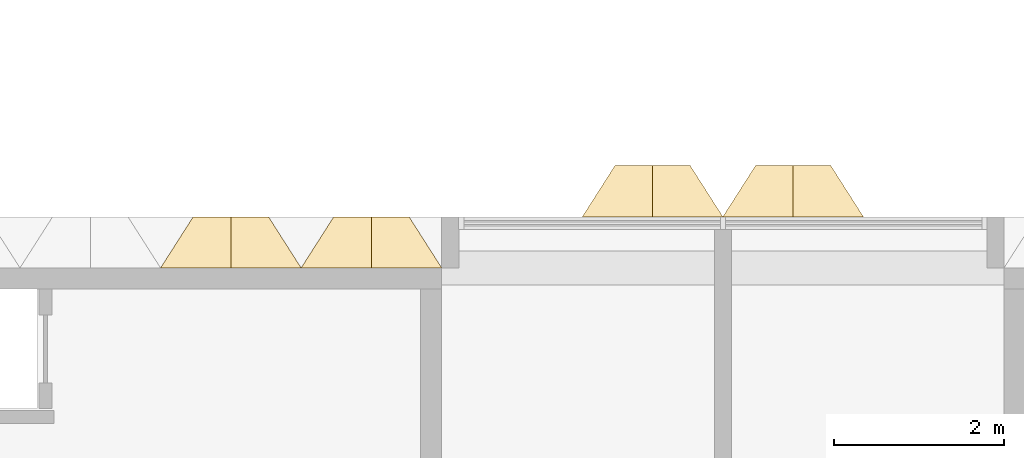
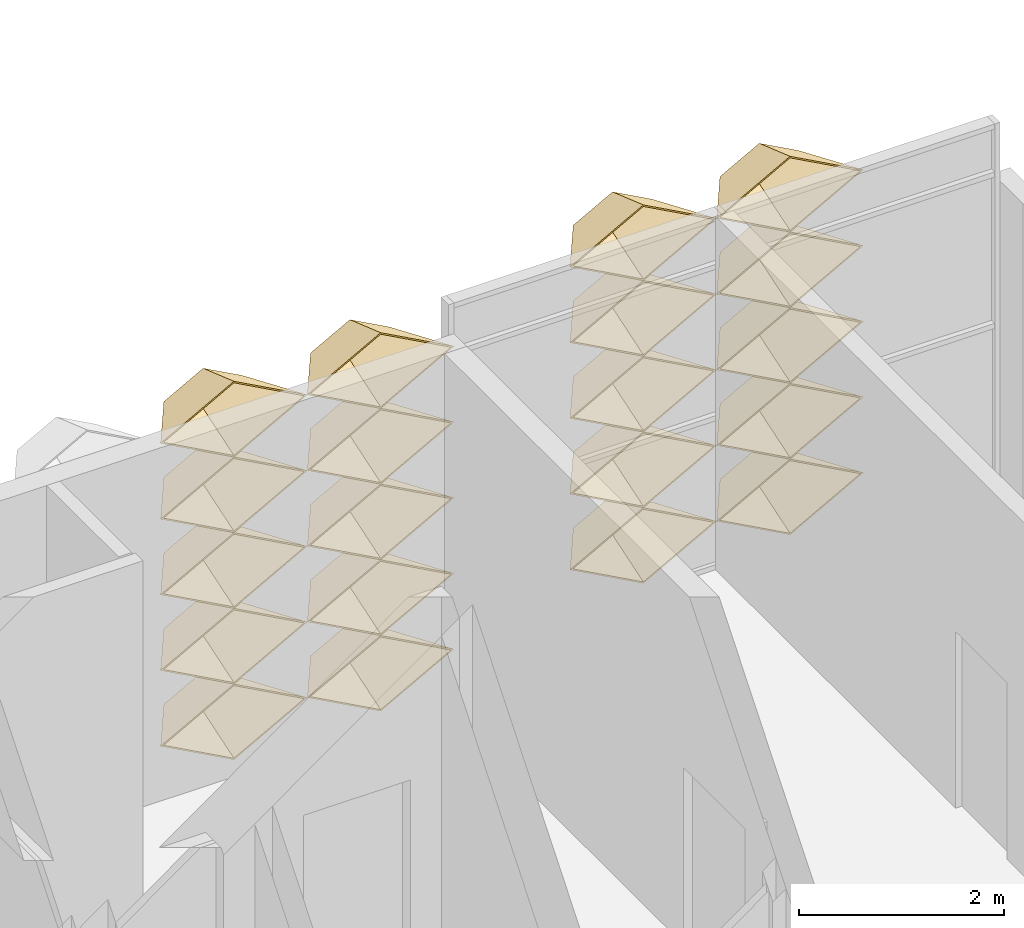
# One storey, part 51 of 87: 20 coverings.
"""IFC4 building model written with IfcOpenShell, lengths in metres."""

from ifc_helpers import new_model, entity, si_unit, direction, frame, origin, place, context, subcontext, project, spatial, material, layer, layer_set, type_object, element, save


model = new_model("IFC4")

# Units and contexts
model_context = context("Model", 3, precision=1e-05, world=origin(), true_north=direction((0.0, 1.0)))
body_context = subcontext(model_context, "Body", "Model", "MODEL_VIEW")
ifc_project = project(units=[si_unit("LENGTHUNIT", "METRE"), si_unit("AREAUNIT", "SQUARE_METRE"), si_unit("VOLUMEUNIT", "CUBIC_METRE"), si_unit("PLANEANGLEUNIT", "RADIAN"), si_unit("MASSUNIT", "GRAM", prefix="KILO")], contexts=[model_context])

# Site, building, storey
site_placement = place(None, origin())
site = spatial("IfcSite", under=ifc_project, at=site_placement, CompositionType="ELEMENT")
building_placement = place(site_placement, origin())
building = spatial("IfcBuilding", under=site, at=building_placement, Name="Lantern Court Research Institute", CompositionType="ELEMENT")
storey_placement = place(building_placement, frame((0.0, 0.0, 5.39990234375)))
storey = spatial("IfcBuildingStorey", under=building, at=storey_placement, Name="L01", CompositionType="ELEMENT", Elevation=5.39990234375)

# Coverings
ifc_material = material(Name="Anodised aluminium", Category="aluminium")
ifc_layer = layer(ifc_material, 0.01611328125)
ifc_layer_set = layer_set([ifc_layer], Name="Anodised aluminium")
covering_type = type_object("IfcCoveringType", Name="Fin cassette 1650 x 900 x 600 aluminium", PredefinedType="CLADDING", material=ifc_layer_set)
covering_1_placement = place(storey_placement, frame((23.925048828125, 23.10009765625, 0.4501953125), z_axis=(0.0, 1.0, 0.0), x_axis=(-1.0, 0.0, 0.0)))
cartesian_point_1 = entity("IfcCartesianPoint", [0.824951171875, 0.0])
cartesian_point_2 = entity("IfcCartesianPoint", [0.79150390625, 0.0])
cartesian_point_3 = entity("IfcCartesianPoint", [0.44189453125, 0.0])
cartesian_point_4 = entity("IfcCartesianPoint", [0.43359375, 0.0])
element("IfcCovering", 1, at=covering_1_placement, inside=storey, type_object=covering_type, Name="Fin cassette V4N-L01 1.15", PredefinedType="CLADDING", context=body_context, shape_type="SweptSolid", body=[
    entity("IfcExtrudedAreaSolidTapered", entity("IfcArbitraryProfileDefWithVoids", "AREA", None, entity("IfcPolyline", [cartesian_point_1, entity("IfcCartesianPoint", [0.0, 0.449951171875]), entity("IfcCartesianPoint", [-0.824951171875, 0.0]), entity("IfcCartesianPoint", [0.0, -0.449951171875]), cartesian_point_1]), [entity("IfcPolyline", [cartesian_point_2, entity("IfcCartesianPoint", [0.0, 0.431884765625]), entity("IfcCartesianPoint", [-0.79150390625, 0.0]), entity("IfcCartesianPoint", [0.0, -0.431884765625]), cartesian_point_2])]), entity("IfcAxis2Placement3D", entity("IfcCartesianPoint", [0.0, 0.0, 0.0])), entity("IfcDirection", [0.0, 0.0, 1.0]), 0.60009765625, entity("IfcArbitraryProfileDefWithVoids", "AREA", None, entity("IfcPolyline", [cartesian_point_3, entity("IfcCartesianPoint", [0.0, 0.240966796875]), entity("IfcCartesianPoint", [-0.44189453125, 0.0]), entity("IfcCartesianPoint", [0.0, -0.240966796875]), cartesian_point_3]), [entity("IfcPolyline", [cartesian_point_4, entity("IfcCartesianPoint", [0.0, 0.236572265625]), entity("IfcCartesianPoint", [-0.43359375, 0.0]), entity("IfcCartesianPoint", [0.0, -0.236572265625]), cartesian_point_4])])),
])
covering_2_placement = place(storey_placement, frame((25.574951171875, 23.10009765625, 0.4501953125), z_axis=(0.0, 1.0, 0.0), x_axis=(-1.0, 0.0, 0.0)))
cartesian_point_5 = entity("IfcCartesianPoint", [0.824951171875, 0.0])
cartesian_point_6 = entity("IfcCartesianPoint", [0.79150390625, 0.0])
cartesian_point_7 = entity("IfcCartesianPoint", [0.44189453125, 0.0])
cartesian_point_8 = entity("IfcCartesianPoint", [0.43359375, 0.0])
element("IfcCovering", 2, at=covering_2_placement, inside=storey, type_object=covering_type, Name="Fin cassette V4N-L01 1.16", PredefinedType="CLADDING", context=body_context, shape_type="SweptSolid", body=[
    entity("IfcExtrudedAreaSolidTapered", entity("IfcArbitraryProfileDefWithVoids", "AREA", None, entity("IfcPolyline", [cartesian_point_5, entity("IfcCartesianPoint", [0.0, 0.449951171875]), entity("IfcCartesianPoint", [-0.824951171875, 0.0]), entity("IfcCartesianPoint", [0.0, -0.449951171875]), cartesian_point_5]), [entity("IfcPolyline", [cartesian_point_6, entity("IfcCartesianPoint", [0.0, 0.431884765625]), entity("IfcCartesianPoint", [-0.79150390625, 0.0]), entity("IfcCartesianPoint", [0.0, -0.431884765625]), cartesian_point_6])]), entity("IfcAxis2Placement3D", entity("IfcCartesianPoint", [0.0, 0.0, 0.0])), entity("IfcDirection", [0.0, 0.0, 1.0]), 0.60009765625, entity("IfcArbitraryProfileDefWithVoids", "AREA", None, entity("IfcPolyline", [cartesian_point_7, entity("IfcCartesianPoint", [0.0, 0.240966796875]), entity("IfcCartesianPoint", [-0.44189453125, 0.0]), entity("IfcCartesianPoint", [0.0, -0.240966796875]), cartesian_point_7]), [entity("IfcPolyline", [cartesian_point_8, entity("IfcCartesianPoint", [0.0, 0.236572265625]), entity("IfcCartesianPoint", [-0.43359375, 0.0]), entity("IfcCartesianPoint", [0.0, -0.236572265625]), cartesian_point_8])])),
])
covering_3_placement = place(storey_placement, frame((23.925048828125, 23.10009765625, 1.35009765625), z_axis=(0.0, 1.0, 0.0), x_axis=(-1.0, 0.0, 0.0)))
cartesian_point_9 = entity("IfcCartesianPoint", [0.824951171875, 0.0])
cartesian_point_10 = entity("IfcCartesianPoint", [0.79150390625, 0.0])
cartesian_point_11 = entity("IfcCartesianPoint", [0.44189453125, 0.0])
cartesian_point_12 = entity("IfcCartesianPoint", [0.43359375, 0.0])
element("IfcCovering", 3, at=covering_3_placement, inside=storey, type_object=covering_type, Name="Fin cassette V4N-L01 2.15", PredefinedType="CLADDING", context=body_context, shape_type="SweptSolid", body=[
    entity("IfcExtrudedAreaSolidTapered", entity("IfcArbitraryProfileDefWithVoids", "AREA", None, entity("IfcPolyline", [cartesian_point_9, entity("IfcCartesianPoint", [0.0, 0.449951171875]), entity("IfcCartesianPoint", [-0.824951171875, 0.0]), entity("IfcCartesianPoint", [0.0, -0.449951171875]), cartesian_point_9]), [entity("IfcPolyline", [cartesian_point_10, entity("IfcCartesianPoint", [0.0, 0.431884765625]), entity("IfcCartesianPoint", [-0.79150390625, 0.0]), entity("IfcCartesianPoint", [0.0, -0.431884765625]), cartesian_point_10])]), entity("IfcAxis2Placement3D", entity("IfcCartesianPoint", [0.0, 0.0, 0.0])), entity("IfcDirection", [0.0, 0.0, 1.0]), 0.60009765625, entity("IfcArbitraryProfileDefWithVoids", "AREA", None, entity("IfcPolyline", [cartesian_point_11, entity("IfcCartesianPoint", [0.0, 0.240966796875]), entity("IfcCartesianPoint", [-0.44189453125, 0.0]), entity("IfcCartesianPoint", [0.0, -0.240966796875]), cartesian_point_11]), [entity("IfcPolyline", [cartesian_point_12, entity("IfcCartesianPoint", [0.0, 0.236572265625]), entity("IfcCartesianPoint", [-0.43359375, 0.0]), entity("IfcCartesianPoint", [0.0, -0.236572265625]), cartesian_point_12])])),
])
covering_4_placement = place(storey_placement, frame((25.574951171875, 23.10009765625, 1.35009765625), z_axis=(0.0, 1.0, 0.0), x_axis=(-1.0, 0.0, 0.0)))
cartesian_point_13 = entity("IfcCartesianPoint", [0.824951171875, 0.0])
cartesian_point_14 = entity("IfcCartesianPoint", [0.79150390625, 0.0])
cartesian_point_15 = entity("IfcCartesianPoint", [0.44189453125, 0.0])
cartesian_point_16 = entity("IfcCartesianPoint", [0.43359375, 0.0])
element("IfcCovering", 4, at=covering_4_placement, inside=storey, type_object=covering_type, Name="Fin cassette V4N-L01 2.16", PredefinedType="CLADDING", context=body_context, shape_type="SweptSolid", body=[
    entity("IfcExtrudedAreaSolidTapered", entity("IfcArbitraryProfileDefWithVoids", "AREA", None, entity("IfcPolyline", [cartesian_point_13, entity("IfcCartesianPoint", [0.0, 0.449951171875]), entity("IfcCartesianPoint", [-0.824951171875, 0.0]), entity("IfcCartesianPoint", [0.0, -0.449951171875]), cartesian_point_13]), [entity("IfcPolyline", [cartesian_point_14, entity("IfcCartesianPoint", [0.0, 0.431884765625]), entity("IfcCartesianPoint", [-0.79150390625, 0.0]), entity("IfcCartesianPoint", [0.0, -0.431884765625]), cartesian_point_14])]), entity("IfcAxis2Placement3D", entity("IfcCartesianPoint", [0.0, 0.0, 0.0])), entity("IfcDirection", [0.0, 0.0, 1.0]), 0.60009765625, entity("IfcArbitraryProfileDefWithVoids", "AREA", None, entity("IfcPolyline", [cartesian_point_15, entity("IfcCartesianPoint", [0.0, 0.240966796875]), entity("IfcCartesianPoint", [-0.44189453125, 0.0]), entity("IfcCartesianPoint", [0.0, -0.240966796875]), cartesian_point_15]), [entity("IfcPolyline", [cartesian_point_16, entity("IfcCartesianPoint", [0.0, 0.236572265625]), entity("IfcCartesianPoint", [-0.43359375, 0.0]), entity("IfcCartesianPoint", [0.0, -0.236572265625]), cartesian_point_16])])),
])
covering_5_placement = place(storey_placement, frame((23.925048828125, 23.10009765625, 2.25), z_axis=(0.0, 1.0, 0.0), x_axis=(-1.0, 0.0, 0.0)))
cartesian_point_17 = entity("IfcCartesianPoint", [0.824951171875, 0.0])
cartesian_point_18 = entity("IfcCartesianPoint", [0.79150390625, 0.0])
cartesian_point_19 = entity("IfcCartesianPoint", [0.44189453125, 0.0])
cartesian_point_20 = entity("IfcCartesianPoint", [0.43359375, 0.0])
element("IfcCovering", 5, at=covering_5_placement, inside=storey, type_object=covering_type, Name="Fin cassette V4N-L01 3.15", PredefinedType="CLADDING", context=body_context, shape_type="SweptSolid", body=[
    entity("IfcExtrudedAreaSolidTapered", entity("IfcArbitraryProfileDefWithVoids", "AREA", None, entity("IfcPolyline", [cartesian_point_17, entity("IfcCartesianPoint", [0.0, 0.449951171875]), entity("IfcCartesianPoint", [-0.824951171875, 0.0]), entity("IfcCartesianPoint", [0.0, -0.449951171875]), cartesian_point_17]), [entity("IfcPolyline", [cartesian_point_18, entity("IfcCartesianPoint", [0.0, 0.431884765625]), entity("IfcCartesianPoint", [-0.79150390625, 0.0]), entity("IfcCartesianPoint", [0.0, -0.431884765625]), cartesian_point_18])]), entity("IfcAxis2Placement3D", entity("IfcCartesianPoint", [0.0, 0.0, 0.0])), entity("IfcDirection", [0.0, 0.0, 1.0]), 0.60009765625, entity("IfcArbitraryProfileDefWithVoids", "AREA", None, entity("IfcPolyline", [cartesian_point_19, entity("IfcCartesianPoint", [0.0, 0.240966796875]), entity("IfcCartesianPoint", [-0.44189453125, 0.0]), entity("IfcCartesianPoint", [0.0, -0.240966796875]), cartesian_point_19]), [entity("IfcPolyline", [cartesian_point_20, entity("IfcCartesianPoint", [0.0, 0.236572265625]), entity("IfcCartesianPoint", [-0.43359375, 0.0]), entity("IfcCartesianPoint", [0.0, -0.236572265625]), cartesian_point_20])])),
])
covering_6_placement = place(storey_placement, frame((25.574951171875, 23.10009765625, 2.25), z_axis=(0.0, 1.0, 0.0), x_axis=(-1.0, 0.0, 0.0)))
cartesian_point_21 = entity("IfcCartesianPoint", [0.824951171875, 0.0])
cartesian_point_22 = entity("IfcCartesianPoint", [0.79150390625, 0.0])
cartesian_point_23 = entity("IfcCartesianPoint", [0.44189453125, 0.0])
cartesian_point_24 = entity("IfcCartesianPoint", [0.43359375, 0.0])
element("IfcCovering", 6, at=covering_6_placement, inside=storey, type_object=covering_type, Name="Fin cassette V4N-L01 3.16", PredefinedType="CLADDING", context=body_context, shape_type="SweptSolid", body=[
    entity("IfcExtrudedAreaSolidTapered", entity("IfcArbitraryProfileDefWithVoids", "AREA", None, entity("IfcPolyline", [cartesian_point_21, entity("IfcCartesianPoint", [0.0, 0.449951171875]), entity("IfcCartesianPoint", [-0.824951171875, 0.0]), entity("IfcCartesianPoint", [0.0, -0.449951171875]), cartesian_point_21]), [entity("IfcPolyline", [cartesian_point_22, entity("IfcCartesianPoint", [0.0, 0.431884765625]), entity("IfcCartesianPoint", [-0.79150390625, 0.0]), entity("IfcCartesianPoint", [0.0, -0.431884765625]), cartesian_point_22])]), entity("IfcAxis2Placement3D", entity("IfcCartesianPoint", [0.0, 0.0, 0.0])), entity("IfcDirection", [0.0, 0.0, 1.0]), 0.60009765625, entity("IfcArbitraryProfileDefWithVoids", "AREA", None, entity("IfcPolyline", [cartesian_point_23, entity("IfcCartesianPoint", [0.0, 0.240966796875]), entity("IfcCartesianPoint", [-0.44189453125, 0.0]), entity("IfcCartesianPoint", [0.0, -0.240966796875]), cartesian_point_23]), [entity("IfcPolyline", [cartesian_point_24, entity("IfcCartesianPoint", [0.0, 0.236572265625]), entity("IfcCartesianPoint", [-0.43359375, 0.0]), entity("IfcCartesianPoint", [0.0, -0.236572265625]), cartesian_point_24])])),
])
covering_7_placement = place(storey_placement, frame((23.925048828125, 23.10009765625, 3.150146484375), z_axis=(0.0, 1.0, 0.0), x_axis=(-1.0, 0.0, 0.0)))
cartesian_point_25 = entity("IfcCartesianPoint", [0.824951171875, 0.0])
cartesian_point_26 = entity("IfcCartesianPoint", [0.79150390625, 0.0])
cartesian_point_27 = entity("IfcCartesianPoint", [0.44189453125, 0.0])
cartesian_point_28 = entity("IfcCartesianPoint", [0.43359375, 0.0])
element("IfcCovering", 7, at=covering_7_placement, inside=storey, type_object=covering_type, Name="Fin cassette V4N-L01 4.15", PredefinedType="CLADDING", context=body_context, shape_type="SweptSolid", body=[
    entity("IfcExtrudedAreaSolidTapered", entity("IfcArbitraryProfileDefWithVoids", "AREA", None, entity("IfcPolyline", [cartesian_point_25, entity("IfcCartesianPoint", [0.0, 0.449951171875]), entity("IfcCartesianPoint", [-0.824951171875, 0.0]), entity("IfcCartesianPoint", [0.0, -0.449951171875]), cartesian_point_25]), [entity("IfcPolyline", [cartesian_point_26, entity("IfcCartesianPoint", [0.0, 0.431884765625]), entity("IfcCartesianPoint", [-0.79150390625, 0.0]), entity("IfcCartesianPoint", [0.0, -0.431884765625]), cartesian_point_26])]), entity("IfcAxis2Placement3D", entity("IfcCartesianPoint", [0.0, 0.0, 0.0])), entity("IfcDirection", [0.0, 0.0, 1.0]), 0.60009765625, entity("IfcArbitraryProfileDefWithVoids", "AREA", None, entity("IfcPolyline", [cartesian_point_27, entity("IfcCartesianPoint", [0.0, 0.240966796875]), entity("IfcCartesianPoint", [-0.44189453125, 0.0]), entity("IfcCartesianPoint", [0.0, -0.240966796875]), cartesian_point_27]), [entity("IfcPolyline", [cartesian_point_28, entity("IfcCartesianPoint", [0.0, 0.236572265625]), entity("IfcCartesianPoint", [-0.43359375, 0.0]), entity("IfcCartesianPoint", [0.0, -0.236572265625]), cartesian_point_28])])),
])
covering_8_placement = place(storey_placement, frame((25.574951171875, 23.10009765625, 3.150146484375), z_axis=(0.0, 1.0, 0.0), x_axis=(-1.0, 0.0, 0.0)))
cartesian_point_29 = entity("IfcCartesianPoint", [0.824951171875, 0.0])
cartesian_point_30 = entity("IfcCartesianPoint", [0.79150390625, 0.0])
cartesian_point_31 = entity("IfcCartesianPoint", [0.44189453125, 0.0])
cartesian_point_32 = entity("IfcCartesianPoint", [0.43359375, 0.0])
element("IfcCovering", 8, at=covering_8_placement, inside=storey, type_object=covering_type, Name="Fin cassette V4N-L01 4.16", PredefinedType="CLADDING", context=body_context, shape_type="SweptSolid", body=[
    entity("IfcExtrudedAreaSolidTapered", entity("IfcArbitraryProfileDefWithVoids", "AREA", None, entity("IfcPolyline", [cartesian_point_29, entity("IfcCartesianPoint", [0.0, 0.449951171875]), entity("IfcCartesianPoint", [-0.824951171875, 0.0]), entity("IfcCartesianPoint", [0.0, -0.449951171875]), cartesian_point_29]), [entity("IfcPolyline", [cartesian_point_30, entity("IfcCartesianPoint", [0.0, 0.431884765625]), entity("IfcCartesianPoint", [-0.79150390625, 0.0]), entity("IfcCartesianPoint", [0.0, -0.431884765625]), cartesian_point_30])]), entity("IfcAxis2Placement3D", entity("IfcCartesianPoint", [0.0, 0.0, 0.0])), entity("IfcDirection", [0.0, 0.0, 1.0]), 0.60009765625, entity("IfcArbitraryProfileDefWithVoids", "AREA", None, entity("IfcPolyline", [cartesian_point_31, entity("IfcCartesianPoint", [0.0, 0.240966796875]), entity("IfcCartesianPoint", [-0.44189453125, 0.0]), entity("IfcCartesianPoint", [0.0, -0.240966796875]), cartesian_point_31]), [entity("IfcPolyline", [cartesian_point_32, entity("IfcCartesianPoint", [0.0, 0.236572265625]), entity("IfcCartesianPoint", [-0.43359375, 0.0]), entity("IfcCartesianPoint", [0.0, -0.236572265625]), cartesian_point_32])])),
])
covering_9_placement = place(storey_placement, frame((23.925048828125, 23.10009765625, 4.050048828125), z_axis=(0.0, 1.0, 0.0), x_axis=(-1.0, 0.0, 0.0)))
cartesian_point_33 = entity("IfcCartesianPoint", [0.824951171875, 0.0])
cartesian_point_34 = entity("IfcCartesianPoint", [0.79150390625, 0.0])
cartesian_point_35 = entity("IfcCartesianPoint", [0.44189453125, 0.0])
cartesian_point_36 = entity("IfcCartesianPoint", [0.43359375, 0.0])
element("IfcCovering", 9, at=covering_9_placement, inside=storey, type_object=covering_type, Name="Fin cassette V4N-L01 5.15", PredefinedType="CLADDING", context=body_context, shape_type="SweptSolid", body=[
    entity("IfcExtrudedAreaSolidTapered", entity("IfcArbitraryProfileDefWithVoids", "AREA", None, entity("IfcPolyline", [cartesian_point_33, entity("IfcCartesianPoint", [0.0, 0.449951171875]), entity("IfcCartesianPoint", [-0.824951171875, 0.0]), entity("IfcCartesianPoint", [0.0, -0.449951171875]), cartesian_point_33]), [entity("IfcPolyline", [cartesian_point_34, entity("IfcCartesianPoint", [0.0, 0.431884765625]), entity("IfcCartesianPoint", [-0.79150390625, 0.0]), entity("IfcCartesianPoint", [0.0, -0.431884765625]), cartesian_point_34])]), entity("IfcAxis2Placement3D", entity("IfcCartesianPoint", [0.0, 0.0, 0.0])), entity("IfcDirection", [0.0, 0.0, 1.0]), 0.60009765625, entity("IfcArbitraryProfileDefWithVoids", "AREA", None, entity("IfcPolyline", [cartesian_point_35, entity("IfcCartesianPoint", [0.0, 0.240966796875]), entity("IfcCartesianPoint", [-0.44189453125, 0.0]), entity("IfcCartesianPoint", [0.0, -0.240966796875]), cartesian_point_35]), [entity("IfcPolyline", [cartesian_point_36, entity("IfcCartesianPoint", [0.0, 0.236572265625]), entity("IfcCartesianPoint", [-0.43359375, 0.0]), entity("IfcCartesianPoint", [0.0, -0.236572265625]), cartesian_point_36])])),
])
covering_10_placement = place(storey_placement, frame((25.574951171875, 23.10009765625, 4.050048828125), z_axis=(0.0, 1.0, 0.0), x_axis=(-1.0, 0.0, 0.0)))
cartesian_point_37 = entity("IfcCartesianPoint", [0.824951171875, 0.0])
cartesian_point_38 = entity("IfcCartesianPoint", [0.79150390625, 0.0])
cartesian_point_39 = entity("IfcCartesianPoint", [0.44189453125, 0.0])
cartesian_point_40 = entity("IfcCartesianPoint", [0.43359375, 0.0])
element("IfcCovering", 10, at=covering_10_placement, inside=storey, type_object=covering_type, Name="Fin cassette V4N-L01 5.16", PredefinedType="CLADDING", context=body_context, shape_type="SweptSolid", body=[
    entity("IfcExtrudedAreaSolidTapered", entity("IfcArbitraryProfileDefWithVoids", "AREA", None, entity("IfcPolyline", [cartesian_point_37, entity("IfcCartesianPoint", [0.0, 0.449951171875]), entity("IfcCartesianPoint", [-0.824951171875, 0.0]), entity("IfcCartesianPoint", [0.0, -0.449951171875]), cartesian_point_37]), [entity("IfcPolyline", [cartesian_point_38, entity("IfcCartesianPoint", [0.0, 0.431884765625]), entity("IfcCartesianPoint", [-0.79150390625, 0.0]), entity("IfcCartesianPoint", [0.0, -0.431884765625]), cartesian_point_38])]), entity("IfcAxis2Placement3D", entity("IfcCartesianPoint", [0.0, 0.0, 0.0])), entity("IfcDirection", [0.0, 0.0, 1.0]), 0.60009765625, entity("IfcArbitraryProfileDefWithVoids", "AREA", None, entity("IfcPolyline", [cartesian_point_39, entity("IfcCartesianPoint", [0.0, 0.240966796875]), entity("IfcCartesianPoint", [-0.44189453125, 0.0]), entity("IfcCartesianPoint", [0.0, -0.240966796875]), cartesian_point_39]), [entity("IfcPolyline", [cartesian_point_40, entity("IfcCartesianPoint", [0.0, 0.236572265625]), entity("IfcCartesianPoint", [-0.43359375, 0.0]), entity("IfcCartesianPoint", [0.0, -0.236572265625]), cartesian_point_40])])),
])
covering_11_placement = place(storey_placement, frame((28.875, 23.699951171875, 0.4501953125), z_axis=(0.0, 1.0, 0.0), x_axis=(-1.0, 0.0, 0.0)))
cartesian_point_41 = entity("IfcCartesianPoint", [0.824951171875, 0.0])
cartesian_point_42 = entity("IfcCartesianPoint", [0.79150390625, 0.0])
cartesian_point_43 = entity("IfcCartesianPoint", [0.44189453125, 0.0])
cartesian_point_44 = entity("IfcCartesianPoint", [0.43359375, 0.0])
element("IfcCovering", 11, at=covering_11_placement, inside=storey, type_object=covering_type, Name="Fin cassette V4N-L01 1.18", PredefinedType="CLADDING", context=body_context, shape_type="SweptSolid", body=[
    entity("IfcExtrudedAreaSolidTapered", entity("IfcArbitraryProfileDefWithVoids", "AREA", None, entity("IfcPolyline", [cartesian_point_41, entity("IfcCartesianPoint", [0.0, 0.449951171875]), entity("IfcCartesianPoint", [-0.824951171875, 0.0]), entity("IfcCartesianPoint", [0.0, -0.449951171875]), cartesian_point_41]), [entity("IfcPolyline", [cartesian_point_42, entity("IfcCartesianPoint", [0.0, 0.431884765625]), entity("IfcCartesianPoint", [-0.79150390625, 0.0]), entity("IfcCartesianPoint", [0.0, -0.431884765625]), cartesian_point_42])]), entity("IfcAxis2Placement3D", entity("IfcCartesianPoint", [0.0, 0.0, 0.0])), entity("IfcDirection", [0.0, 0.0, 1.0]), 0.60009765625, entity("IfcArbitraryProfileDefWithVoids", "AREA", None, entity("IfcPolyline", [cartesian_point_43, entity("IfcCartesianPoint", [0.0, 0.240966796875]), entity("IfcCartesianPoint", [-0.44189453125, 0.0]), entity("IfcCartesianPoint", [0.0, -0.240966796875]), cartesian_point_43]), [entity("IfcPolyline", [cartesian_point_44, entity("IfcCartesianPoint", [0.0, 0.236572265625]), entity("IfcCartesianPoint", [-0.43359375, 0.0]), entity("IfcCartesianPoint", [0.0, -0.236572265625]), cartesian_point_44])])),
])
covering_12_placement = place(storey_placement, frame((30.52490234375, 23.699951171875, 0.4501953125), z_axis=(0.0, 1.0, 0.0), x_axis=(-1.0, 0.0, 0.0)))
cartesian_point_45 = entity("IfcCartesianPoint", [0.824951171875, 0.0])
cartesian_point_46 = entity("IfcCartesianPoint", [0.79150390625, 0.0])
cartesian_point_47 = entity("IfcCartesianPoint", [0.44189453125, 0.0])
cartesian_point_48 = entity("IfcCartesianPoint", [0.43359375, 0.0])
element("IfcCovering", 12, at=covering_12_placement, inside=storey, type_object=covering_type, Name="Fin cassette V4N-L01 1.19", PredefinedType="CLADDING", context=body_context, shape_type="SweptSolid", body=[
    entity("IfcExtrudedAreaSolidTapered", entity("IfcArbitraryProfileDefWithVoids", "AREA", None, entity("IfcPolyline", [cartesian_point_45, entity("IfcCartesianPoint", [0.0, 0.449951171875]), entity("IfcCartesianPoint", [-0.824951171875, 0.0]), entity("IfcCartesianPoint", [0.0, -0.449951171875]), cartesian_point_45]), [entity("IfcPolyline", [cartesian_point_46, entity("IfcCartesianPoint", [0.0, 0.431884765625]), entity("IfcCartesianPoint", [-0.79150390625, 0.0]), entity("IfcCartesianPoint", [0.0, -0.431884765625]), cartesian_point_46])]), entity("IfcAxis2Placement3D", entity("IfcCartesianPoint", [0.0, 0.0, 0.0])), entity("IfcDirection", [0.0, 0.0, 1.0]), 0.60009765625, entity("IfcArbitraryProfileDefWithVoids", "AREA", None, entity("IfcPolyline", [cartesian_point_47, entity("IfcCartesianPoint", [0.0, 0.240966796875]), entity("IfcCartesianPoint", [-0.44189453125, 0.0]), entity("IfcCartesianPoint", [0.0, -0.240966796875]), cartesian_point_47]), [entity("IfcPolyline", [cartesian_point_48, entity("IfcCartesianPoint", [0.0, 0.236572265625]), entity("IfcCartesianPoint", [-0.43359375, 0.0]), entity("IfcCartesianPoint", [0.0, -0.236572265625]), cartesian_point_48])])),
])
covering_13_placement = place(storey_placement, frame((28.875, 23.699951171875, 1.35009765625), z_axis=(0.0, 1.0, 0.0), x_axis=(-1.0, 0.0, 0.0)))
cartesian_point_49 = entity("IfcCartesianPoint", [0.824951171875, 0.0])
cartesian_point_50 = entity("IfcCartesianPoint", [0.79150390625, 0.0])
cartesian_point_51 = entity("IfcCartesianPoint", [0.44189453125, 0.0])
cartesian_point_52 = entity("IfcCartesianPoint", [0.43359375, 0.0])
element("IfcCovering", 13, at=covering_13_placement, inside=storey, type_object=covering_type, Name="Fin cassette V4N-L01 2.18", PredefinedType="CLADDING", context=body_context, shape_type="SweptSolid", body=[
    entity("IfcExtrudedAreaSolidTapered", entity("IfcArbitraryProfileDefWithVoids", "AREA", None, entity("IfcPolyline", [cartesian_point_49, entity("IfcCartesianPoint", [0.0, 0.449951171875]), entity("IfcCartesianPoint", [-0.824951171875, 0.0]), entity("IfcCartesianPoint", [0.0, -0.449951171875]), cartesian_point_49]), [entity("IfcPolyline", [cartesian_point_50, entity("IfcCartesianPoint", [0.0, 0.431884765625]), entity("IfcCartesianPoint", [-0.79150390625, 0.0]), entity("IfcCartesianPoint", [0.0, -0.431884765625]), cartesian_point_50])]), entity("IfcAxis2Placement3D", entity("IfcCartesianPoint", [0.0, 0.0, 0.0])), entity("IfcDirection", [0.0, 0.0, 1.0]), 0.60009765625, entity("IfcArbitraryProfileDefWithVoids", "AREA", None, entity("IfcPolyline", [cartesian_point_51, entity("IfcCartesianPoint", [0.0, 0.240966796875]), entity("IfcCartesianPoint", [-0.44189453125, 0.0]), entity("IfcCartesianPoint", [0.0, -0.240966796875]), cartesian_point_51]), [entity("IfcPolyline", [cartesian_point_52, entity("IfcCartesianPoint", [0.0, 0.236572265625]), entity("IfcCartesianPoint", [-0.43359375, 0.0]), entity("IfcCartesianPoint", [0.0, -0.236572265625]), cartesian_point_52])])),
])
covering_14_placement = place(storey_placement, frame((30.52490234375, 23.699951171875, 1.35009765625), z_axis=(0.0, 1.0, 0.0), x_axis=(-1.0, 0.0, 0.0)))
cartesian_point_53 = entity("IfcCartesianPoint", [0.824951171875, 0.0])
cartesian_point_54 = entity("IfcCartesianPoint", [0.79150390625, 0.0])
cartesian_point_55 = entity("IfcCartesianPoint", [0.44189453125, 0.0])
cartesian_point_56 = entity("IfcCartesianPoint", [0.43359375, 0.0])
element("IfcCovering", 14, at=covering_14_placement, inside=storey, type_object=covering_type, Name="Fin cassette V4N-L01 2.19", PredefinedType="CLADDING", context=body_context, shape_type="SweptSolid", body=[
    entity("IfcExtrudedAreaSolidTapered", entity("IfcArbitraryProfileDefWithVoids", "AREA", None, entity("IfcPolyline", [cartesian_point_53, entity("IfcCartesianPoint", [0.0, 0.449951171875]), entity("IfcCartesianPoint", [-0.824951171875, 0.0]), entity("IfcCartesianPoint", [0.0, -0.449951171875]), cartesian_point_53]), [entity("IfcPolyline", [cartesian_point_54, entity("IfcCartesianPoint", [0.0, 0.431884765625]), entity("IfcCartesianPoint", [-0.79150390625, 0.0]), entity("IfcCartesianPoint", [0.0, -0.431884765625]), cartesian_point_54])]), entity("IfcAxis2Placement3D", entity("IfcCartesianPoint", [0.0, 0.0, 0.0])), entity("IfcDirection", [0.0, 0.0, 1.0]), 0.60009765625, entity("IfcArbitraryProfileDefWithVoids", "AREA", None, entity("IfcPolyline", [cartesian_point_55, entity("IfcCartesianPoint", [0.0, 0.240966796875]), entity("IfcCartesianPoint", [-0.44189453125, 0.0]), entity("IfcCartesianPoint", [0.0, -0.240966796875]), cartesian_point_55]), [entity("IfcPolyline", [cartesian_point_56, entity("IfcCartesianPoint", [0.0, 0.236572265625]), entity("IfcCartesianPoint", [-0.43359375, 0.0]), entity("IfcCartesianPoint", [0.0, -0.236572265625]), cartesian_point_56])])),
])
covering_15_placement = place(storey_placement, frame((28.875, 23.699951171875, 2.25), z_axis=(0.0, 1.0, 0.0), x_axis=(-1.0, 0.0, 0.0)))
cartesian_point_57 = entity("IfcCartesianPoint", [0.824951171875, 0.0])
cartesian_point_58 = entity("IfcCartesianPoint", [0.79150390625, 0.0])
cartesian_point_59 = entity("IfcCartesianPoint", [0.44189453125, 0.0])
cartesian_point_60 = entity("IfcCartesianPoint", [0.43359375, 0.0])
element("IfcCovering", 15, at=covering_15_placement, inside=storey, type_object=covering_type, Name="Fin cassette V4N-L01 3.18", PredefinedType="CLADDING", context=body_context, shape_type="SweptSolid", body=[
    entity("IfcExtrudedAreaSolidTapered", entity("IfcArbitraryProfileDefWithVoids", "AREA", None, entity("IfcPolyline", [cartesian_point_57, entity("IfcCartesianPoint", [0.0, 0.449951171875]), entity("IfcCartesianPoint", [-0.824951171875, 0.0]), entity("IfcCartesianPoint", [0.0, -0.449951171875]), cartesian_point_57]), [entity("IfcPolyline", [cartesian_point_58, entity("IfcCartesianPoint", [0.0, 0.431884765625]), entity("IfcCartesianPoint", [-0.79150390625, 0.0]), entity("IfcCartesianPoint", [0.0, -0.431884765625]), cartesian_point_58])]), entity("IfcAxis2Placement3D", entity("IfcCartesianPoint", [0.0, 0.0, 0.0])), entity("IfcDirection", [0.0, 0.0, 1.0]), 0.60009765625, entity("IfcArbitraryProfileDefWithVoids", "AREA", None, entity("IfcPolyline", [cartesian_point_59, entity("IfcCartesianPoint", [0.0, 0.240966796875]), entity("IfcCartesianPoint", [-0.44189453125, 0.0]), entity("IfcCartesianPoint", [0.0, -0.240966796875]), cartesian_point_59]), [entity("IfcPolyline", [cartesian_point_60, entity("IfcCartesianPoint", [0.0, 0.236572265625]), entity("IfcCartesianPoint", [-0.43359375, 0.0]), entity("IfcCartesianPoint", [0.0, -0.236572265625]), cartesian_point_60])])),
])
covering_16_placement = place(storey_placement, frame((30.52490234375, 23.699951171875, 2.25), z_axis=(0.0, 1.0, 0.0), x_axis=(-1.0, 0.0, 0.0)))
cartesian_point_61 = entity("IfcCartesianPoint", [0.824951171875, 0.0])
cartesian_point_62 = entity("IfcCartesianPoint", [0.79150390625, 0.0])
cartesian_point_63 = entity("IfcCartesianPoint", [0.44189453125, 0.0])
cartesian_point_64 = entity("IfcCartesianPoint", [0.43359375, 0.0])
element("IfcCovering", 16, at=covering_16_placement, inside=storey, type_object=covering_type, Name="Fin cassette V4N-L01 3.19", PredefinedType="CLADDING", context=body_context, shape_type="SweptSolid", body=[
    entity("IfcExtrudedAreaSolidTapered", entity("IfcArbitraryProfileDefWithVoids", "AREA", None, entity("IfcPolyline", [cartesian_point_61, entity("IfcCartesianPoint", [0.0, 0.449951171875]), entity("IfcCartesianPoint", [-0.824951171875, 0.0]), entity("IfcCartesianPoint", [0.0, -0.449951171875]), cartesian_point_61]), [entity("IfcPolyline", [cartesian_point_62, entity("IfcCartesianPoint", [0.0, 0.431884765625]), entity("IfcCartesianPoint", [-0.79150390625, 0.0]), entity("IfcCartesianPoint", [0.0, -0.431884765625]), cartesian_point_62])]), entity("IfcAxis2Placement3D", entity("IfcCartesianPoint", [0.0, 0.0, 0.0])), entity("IfcDirection", [0.0, 0.0, 1.0]), 0.60009765625, entity("IfcArbitraryProfileDefWithVoids", "AREA", None, entity("IfcPolyline", [cartesian_point_63, entity("IfcCartesianPoint", [0.0, 0.240966796875]), entity("IfcCartesianPoint", [-0.44189453125, 0.0]), entity("IfcCartesianPoint", [0.0, -0.240966796875]), cartesian_point_63]), [entity("IfcPolyline", [cartesian_point_64, entity("IfcCartesianPoint", [0.0, 0.236572265625]), entity("IfcCartesianPoint", [-0.43359375, 0.0]), entity("IfcCartesianPoint", [0.0, -0.236572265625]), cartesian_point_64])])),
])
covering_17_placement = place(storey_placement, frame((28.875, 23.699951171875, 3.150146484375), z_axis=(0.0, 1.0, 0.0), x_axis=(-1.0, 0.0, 0.0)))
cartesian_point_65 = entity("IfcCartesianPoint", [0.824951171875, 0.0])
cartesian_point_66 = entity("IfcCartesianPoint", [0.79150390625, 0.0])
cartesian_point_67 = entity("IfcCartesianPoint", [0.44189453125, 0.0])
cartesian_point_68 = entity("IfcCartesianPoint", [0.43359375, 0.0])
element("IfcCovering", 17, at=covering_17_placement, inside=storey, type_object=covering_type, Name="Fin cassette V4N-L01 4.18", PredefinedType="CLADDING", context=body_context, shape_type="SweptSolid", body=[
    entity("IfcExtrudedAreaSolidTapered", entity("IfcArbitraryProfileDefWithVoids", "AREA", None, entity("IfcPolyline", [cartesian_point_65, entity("IfcCartesianPoint", [0.0, 0.449951171875]), entity("IfcCartesianPoint", [-0.824951171875, 0.0]), entity("IfcCartesianPoint", [0.0, -0.449951171875]), cartesian_point_65]), [entity("IfcPolyline", [cartesian_point_66, entity("IfcCartesianPoint", [0.0, 0.431884765625]), entity("IfcCartesianPoint", [-0.79150390625, 0.0]), entity("IfcCartesianPoint", [0.0, -0.431884765625]), cartesian_point_66])]), entity("IfcAxis2Placement3D", entity("IfcCartesianPoint", [0.0, 0.0, 0.0])), entity("IfcDirection", [0.0, 0.0, 1.0]), 0.60009765625, entity("IfcArbitraryProfileDefWithVoids", "AREA", None, entity("IfcPolyline", [cartesian_point_67, entity("IfcCartesianPoint", [0.0, 0.240966796875]), entity("IfcCartesianPoint", [-0.44189453125, 0.0]), entity("IfcCartesianPoint", [0.0, -0.240966796875]), cartesian_point_67]), [entity("IfcPolyline", [cartesian_point_68, entity("IfcCartesianPoint", [0.0, 0.236572265625]), entity("IfcCartesianPoint", [-0.43359375, 0.0]), entity("IfcCartesianPoint", [0.0, -0.236572265625]), cartesian_point_68])])),
])
covering_18_placement = place(storey_placement, frame((30.52490234375, 23.699951171875, 3.150146484375), z_axis=(0.0, 1.0, 0.0), x_axis=(-1.0, 0.0, 0.0)))
cartesian_point_69 = entity("IfcCartesianPoint", [0.824951171875, 0.0])
cartesian_point_70 = entity("IfcCartesianPoint", [0.79150390625, 0.0])
cartesian_point_71 = entity("IfcCartesianPoint", [0.44189453125, 0.0])
cartesian_point_72 = entity("IfcCartesianPoint", [0.43359375, 0.0])
element("IfcCovering", 18, at=covering_18_placement, inside=storey, type_object=covering_type, Name="Fin cassette V4N-L01 4.19", PredefinedType="CLADDING", context=body_context, shape_type="SweptSolid", body=[
    entity("IfcExtrudedAreaSolidTapered", entity("IfcArbitraryProfileDefWithVoids", "AREA", None, entity("IfcPolyline", [cartesian_point_69, entity("IfcCartesianPoint", [0.0, 0.449951171875]), entity("IfcCartesianPoint", [-0.824951171875, 0.0]), entity("IfcCartesianPoint", [0.0, -0.449951171875]), cartesian_point_69]), [entity("IfcPolyline", [cartesian_point_70, entity("IfcCartesianPoint", [0.0, 0.431884765625]), entity("IfcCartesianPoint", [-0.79150390625, 0.0]), entity("IfcCartesianPoint", [0.0, -0.431884765625]), cartesian_point_70])]), entity("IfcAxis2Placement3D", entity("IfcCartesianPoint", [0.0, 0.0, 0.0])), entity("IfcDirection", [0.0, 0.0, 1.0]), 0.60009765625, entity("IfcArbitraryProfileDefWithVoids", "AREA", None, entity("IfcPolyline", [cartesian_point_71, entity("IfcCartesianPoint", [0.0, 0.240966796875]), entity("IfcCartesianPoint", [-0.44189453125, 0.0]), entity("IfcCartesianPoint", [0.0, -0.240966796875]), cartesian_point_71]), [entity("IfcPolyline", [cartesian_point_72, entity("IfcCartesianPoint", [0.0, 0.236572265625]), entity("IfcCartesianPoint", [-0.43359375, 0.0]), entity("IfcCartesianPoint", [0.0, -0.236572265625]), cartesian_point_72])])),
])
covering_19_placement = place(storey_placement, frame((28.875, 23.699951171875, 4.050048828125), z_axis=(0.0, 1.0, 0.0), x_axis=(-1.0, 0.0, 0.0)))
cartesian_point_73 = entity("IfcCartesianPoint", [0.824951171875, 0.0])
cartesian_point_74 = entity("IfcCartesianPoint", [0.79150390625, 0.0])
cartesian_point_75 = entity("IfcCartesianPoint", [0.44189453125, 0.0])
cartesian_point_76 = entity("IfcCartesianPoint", [0.43359375, 0.0])
element("IfcCovering", 19, at=covering_19_placement, inside=storey, type_object=covering_type, Name="Fin cassette V4N-L01 5.18", PredefinedType="CLADDING", context=body_context, shape_type="SweptSolid", body=[
    entity("IfcExtrudedAreaSolidTapered", entity("IfcArbitraryProfileDefWithVoids", "AREA", None, entity("IfcPolyline", [cartesian_point_73, entity("IfcCartesianPoint", [0.0, 0.449951171875]), entity("IfcCartesianPoint", [-0.824951171875, 0.0]), entity("IfcCartesianPoint", [0.0, -0.449951171875]), cartesian_point_73]), [entity("IfcPolyline", [cartesian_point_74, entity("IfcCartesianPoint", [0.0, 0.431884765625]), entity("IfcCartesianPoint", [-0.79150390625, 0.0]), entity("IfcCartesianPoint", [0.0, -0.431884765625]), cartesian_point_74])]), entity("IfcAxis2Placement3D", entity("IfcCartesianPoint", [0.0, 0.0, 0.0])), entity("IfcDirection", [0.0, 0.0, 1.0]), 0.60009765625, entity("IfcArbitraryProfileDefWithVoids", "AREA", None, entity("IfcPolyline", [cartesian_point_75, entity("IfcCartesianPoint", [0.0, 0.240966796875]), entity("IfcCartesianPoint", [-0.44189453125, 0.0]), entity("IfcCartesianPoint", [0.0, -0.240966796875]), cartesian_point_75]), [entity("IfcPolyline", [cartesian_point_76, entity("IfcCartesianPoint", [0.0, 0.236572265625]), entity("IfcCartesianPoint", [-0.43359375, 0.0]), entity("IfcCartesianPoint", [0.0, -0.236572265625]), cartesian_point_76])])),
])
covering_20_placement = place(storey_placement, frame((30.52490234375, 23.699951171875, 4.050048828125), z_axis=(0.0, 1.0, 0.0), x_axis=(-1.0, 0.0, 0.0)))
cartesian_point_77 = entity("IfcCartesianPoint", [0.824951171875, 0.0])
cartesian_point_78 = entity("IfcCartesianPoint", [0.79150390625, 0.0])
cartesian_point_79 = entity("IfcCartesianPoint", [0.44189453125, 0.0])
cartesian_point_80 = entity("IfcCartesianPoint", [0.43359375, 0.0])
element("IfcCovering", 20, at=covering_20_placement, inside=storey, type_object=covering_type, Name="Fin cassette V4N-L01 5.19", PredefinedType="CLADDING", context=body_context, shape_type="SweptSolid", body=[
    entity("IfcExtrudedAreaSolidTapered", entity("IfcArbitraryProfileDefWithVoids", "AREA", None, entity("IfcPolyline", [cartesian_point_77, entity("IfcCartesianPoint", [0.0, 0.449951171875]), entity("IfcCartesianPoint", [-0.824951171875, 0.0]), entity("IfcCartesianPoint", [0.0, -0.449951171875]), cartesian_point_77]), [entity("IfcPolyline", [cartesian_point_78, entity("IfcCartesianPoint", [0.0, 0.431884765625]), entity("IfcCartesianPoint", [-0.79150390625, 0.0]), entity("IfcCartesianPoint", [0.0, -0.431884765625]), cartesian_point_78])]), entity("IfcAxis2Placement3D", entity("IfcCartesianPoint", [0.0, 0.0, 0.0])), entity("IfcDirection", [0.0, 0.0, 1.0]), 0.60009765625, entity("IfcArbitraryProfileDefWithVoids", "AREA", None, entity("IfcPolyline", [cartesian_point_79, entity("IfcCartesianPoint", [0.0, 0.240966796875]), entity("IfcCartesianPoint", [-0.44189453125, 0.0]), entity("IfcCartesianPoint", [0.0, -0.240966796875]), cartesian_point_79]), [entity("IfcPolyline", [cartesian_point_80, entity("IfcCartesianPoint", [0.0, 0.236572265625]), entity("IfcCartesianPoint", [-0.43359375, 0.0]), entity("IfcCartesianPoint", [0.0, -0.236572265625]), cartesian_point_80])])),
])

save(model, "model.ifc")
